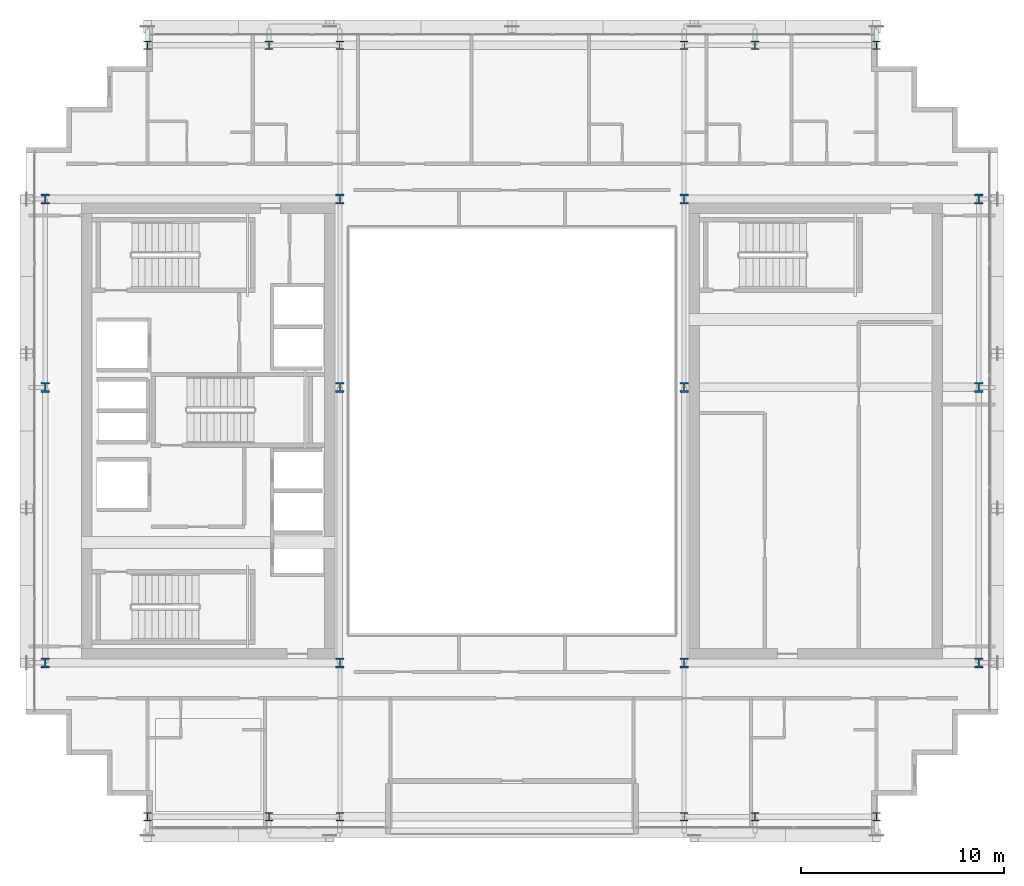
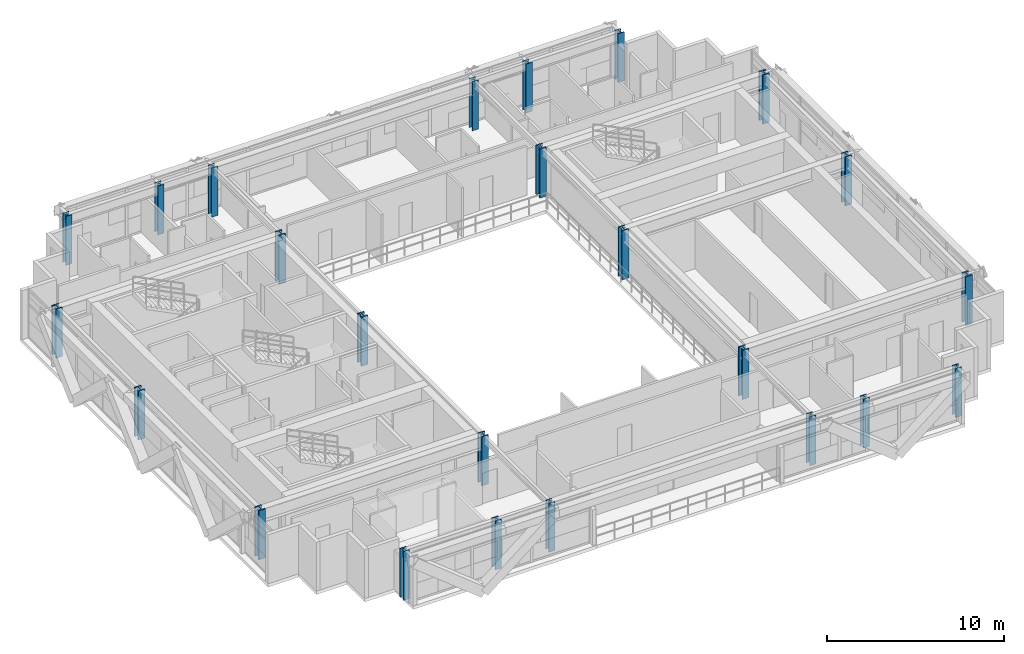
# One storey, part 1 of 32: 24 columns.
"""IFC4 building model written with IfcOpenShell, lengths in metres."""

from ifc_helpers import new_model, si_unit, direction, frame, origin, origin_2d, place, context, subcontext, project, spatial, i_section, extrude, source, transform, mapped, material, material_profile, profile_set, type_object, element, save


model = new_model("IFC4")

# Units and contexts
model_context = context("Model", 3, precision=1e-05, world=origin(), true_north=direction((0.0, 1.0)))
body_context = subcontext(model_context, "Body", "Model", "MODEL_VIEW")
ifc_project = project(units=[si_unit("LENGTHUNIT", "METRE"), si_unit("AREAUNIT", "SQUARE_METRE"), si_unit("VOLUMEUNIT", "CUBIC_METRE"), si_unit("PLANEANGLEUNIT", "RADIAN"), si_unit("MASSUNIT", "GRAM", prefix="KILO")], contexts=[model_context])

# Site, building, storey
site_placement = place(None, origin())
site = spatial("IfcSite", under=ifc_project, at=site_placement, CompositionType="ELEMENT")
building_placement = place(site_placement, origin())
building = spatial("IfcBuilding", under=site, at=building_placement, Name="Ocotamira Hotel", CompositionType="ELEMENT")
storey_placement = place(building_placement, frame((0.0, 0.0, 184.800048828125)))
storey = spatial("IfcBuildingStorey", under=building, at=storey_placement, Name="L46", CompositionType="ELEMENT", Elevation=184.800048828125)

# Columns
ifc_material = material(Name="Steel ASTM A913 Grade 65", Category="steel")
ifc_material_profile_1 = material_profile(ifc_material, i_section(OverallWidth=0.431884765625, OverallDepth=0.498046875, WebThickness=0.0556640625, FlangeThickness=0.0888671875, FilletRadius=0.02490234375, at=origin_2d()), Name="W14X500")
ifc_profile_set_1 = profile_set([ifc_material_profile_1], Name="Steel ASTM A913 Grade 65")
column_type_1 = type_object("IfcColumnType", Name="COL-W14X500", PredefinedType="COLUMN", material=ifc_profile_set_1)
shared_shape_1 = source(origin(), body_context, "Body", "SweptSolid", [
    extrude(i_section(OverallWidth=0.431884765625, OverallDepth=0.498046875, WebThickness=0.0556640625, FlangeThickness=0.0888671875, FilletRadius=0.02490234375, at=origin_2d()), origin(), (0.0, 0.0, 1.0), 3.369873046875),
])
for number, where, z_axis, x_axis, name in (
    (1, (8.949951171875, 14.550048828125, 0.0), (0.0, 0.0, 1.0), (1.0, 0.0, 0.0), "L46 Column TW8_14"),
    (2, (23.5, 14.550048828125, 0.0), (0.0, 0.0, 1.0), (1.0, 0.0, 0.0), "L46 Column TW23_14"),
    (3, (40.5, 14.550048828125, 0.0), (0.0, 0.0, 1.0), (1.0, 0.0, 0.0), "L46 Column TE40_14"),
    (4, (55.050048828125, 14.550048828125, 0.0), (0.0, 0.0, 1.0), (1.0, 0.0, 0.0), "L46 Column TE55_14"),
    (5, (8.949951171875, 28.14990234375, 0.0), (0.0, 0.0, 1.0), (1.0, 0.0, 0.0), "L46 Column TW8_28"),
    (6, (23.5, 28.14990234375, 0.0), (0.0, 0.0, 1.0), (1.0, 0.0, 0.0), "L46 Column TW23_28"),
    (7, (40.5, 28.14990234375, 0.0), (0.0, 0.0, 1.0), (1.0, 0.0, 0.0), "L46 Column TE40_28"),
    (8, (55.050048828125, 28.14990234375, 0.0), (0.0, 0.0, 1.0), (1.0, 0.0, 0.0), "L46 Column TE55_28"),
    (9, (8.949951171875, 37.449951171875, 0.0), (0.0, 0.0, 1.0), (1.0, 0.0, 0.0), "L46 Column TW8_37"),
    (10, (23.5, 37.449951171875, 0.0), (0.0, 0.0, 1.0), (1.0, 0.0, 0.0), "L46 Column TW23_37"),
    (11, (40.5, 37.449951171875, 0.0), (0.0, 0.0, 1.0), (1.0, 0.0, 0.0), "L46 Column TE40_37"),
    (12, (55.050048828125, 37.449951171875, 0.0), (0.0, 0.0, 1.0), (1.0, 0.0, 0.0), "L46 Column TE55_37"),
):
    element("IfcColumn", number, at=place(storey_placement, frame(where, z_axis=z_axis, x_axis=x_axis)), inside=storey, type_object=column_type_1, Name=name, PredefinedType="COLUMN", context=body_context, shape_type="MappedRepresentation", body=[
        mapped(shared_shape_1, transform((0.0, 0.0, 0.0), scale=1.0)),
    ])
ifc_material_profile_2 = material_profile(ifc_material, i_section(OverallWidth=0.404052734375, OverallDepth=0.406982421875, WebThickness=0.027099609375, FlangeThickness=0.043701171875, FilletRadius=0.02490234375, at=origin_2d()), Name="W14X233")
ifc_profile_set_2 = profile_set([ifc_material_profile_2], Name="Steel ASTM A913 Grade 65")
column_type_2 = type_object("IfcColumnType", Name="COL-W14X233", PredefinedType="COLUMN", material=ifc_profile_set_2)
shared_shape_2 = source(origin(), body_context, "Body", "SweptSolid", [
    extrude(i_section(OverallWidth=0.404052734375, OverallDepth=0.406982421875, WebThickness=0.027099609375, FlangeThickness=0.043701171875, FilletRadius=0.02490234375, at=origin_2d()), origin(), (0.0, 0.0, 1.0), 3.369873046875),
])
for number, where, z_axis, x_axis, name in (
    (13, (14.0, 6.949951171875, 0.0), (0.0, 0.0, 1.0), (1.0, 0.0, 0.0), "L46 Column NSP1_14"),
    (14, (20.0, 6.949951171875, 0.0), (0.0, 0.0, 1.0), (1.0, 0.0, 0.0), "L46 Column NSP1_20"),
    (15, (23.5, 6.949951171875, 0.0), (0.0, 0.0, 1.0), (1.0, 0.0, 0.0), "L46 Column NSP1_23"),
    (16, (40.5, 6.949951171875, 0.0), (0.0, 0.0, 1.0), (1.0, 0.0, 0.0), "L46 Column NSP1_40"),
    (17, (44.0, 6.949951171875, 0.0), (0.0, 0.0, 1.0), (1.0, 0.0, 0.0), "L46 Column NSP1_44"),
    (18, (50.0, 6.949951171875, 0.0), (0.0, 0.0, 1.0), (1.0, 0.0, 0.0), "L46 Column NSP1_50"),
    (19, (14.0, 45.050048828125, 0.0), (0.0, 0.0, 1.0), (1.0, 0.0, 0.0), "L46 Column NSP2_14"),
    (20, (20.0, 45.050048828125, 0.0), (0.0, 0.0, 1.0), (1.0, 0.0, 0.0), "L46 Column NSP2_20"),
    (21, (23.5, 45.050048828125, 0.0), (0.0, 0.0, 1.0), (1.0, 0.0, 0.0), "L46 Column NSP2_23"),
    (22, (40.5, 45.050048828125, 0.0), (0.0, 0.0, 1.0), (1.0, 0.0, 0.0), "L46 Column NSP2_40"),
    (23, (44.0, 45.050048828125, 0.0), (0.0, 0.0, 1.0), (1.0, 0.0, 0.0), "L46 Column NSP2_44"),
    (24, (50.0, 45.050048828125, 0.0), (0.0, 0.0, 1.0), (1.0, 0.0, 0.0), "L46 Column NSP2_50"),
):
    element("IfcColumn", number, at=place(storey_placement, frame(where, z_axis=z_axis, x_axis=x_axis)), inside=storey, type_object=column_type_2, Name=name, PredefinedType="COLUMN", context=body_context, shape_type="MappedRepresentation", body=[
        mapped(shared_shape_2, transform((0.0, 0.0, 0.0), scale=1.0)),
    ])

save(model, "model.ifc")
